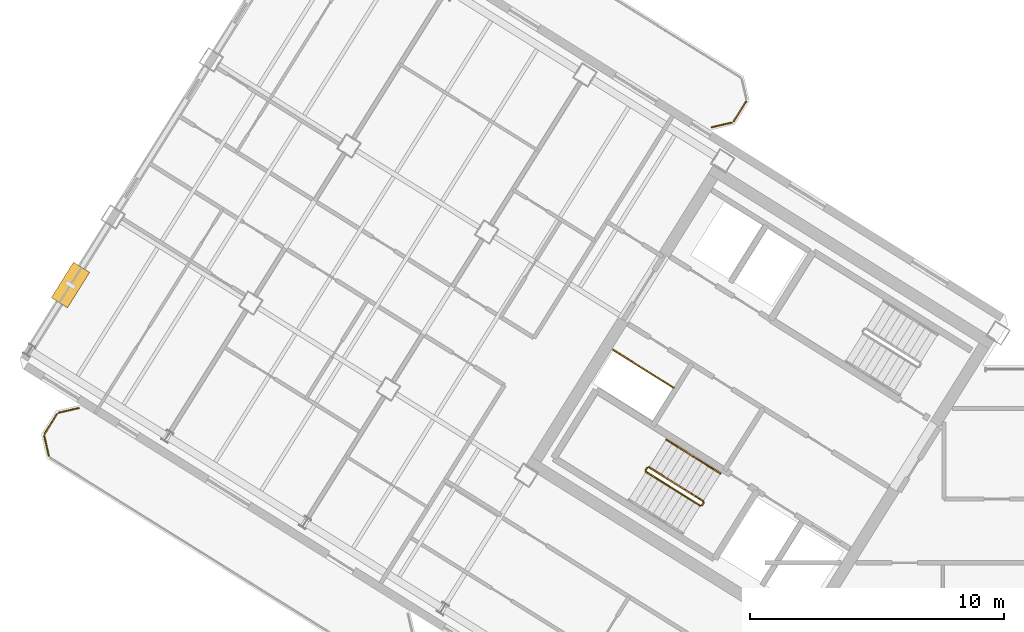
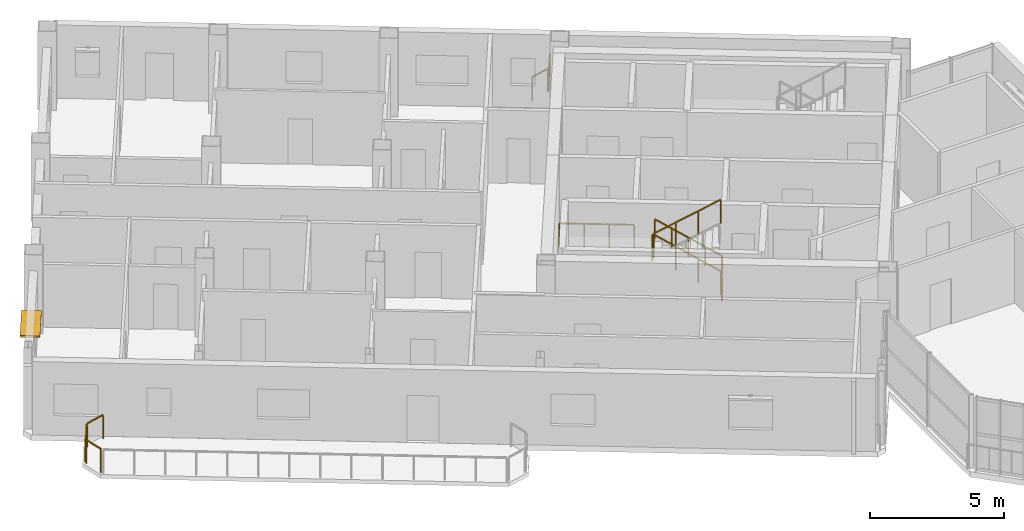
# One storey, part 13 of 15: 12 railings, 1 shading device.
"""IFC4 building model written with IfcOpenShell, lengths in metres."""

from ifc_helpers import new_model, si_unit, direction, frame, origin, origin_2d, place, context, subcontext, project, spatial, rectangle, extrude, source, transform, mapped, material, layer, layer_set, type_object, element, save


model = new_model("IFC4")

# Units and contexts
model_context = context("Model", 3, precision=1e-05, world=origin(), true_north=direction((0.0, 1.0)))
body_context = subcontext(model_context, "Body", "Model", "MODEL_VIEW")
ifc_project = project(units=[si_unit("LENGTHUNIT", "METRE"), si_unit("AREAUNIT", "SQUARE_METRE"), si_unit("VOLUMEUNIT", "CUBIC_METRE"), si_unit("PLANEANGLEUNIT", "RADIAN"), si_unit("MASSUNIT", "GRAM", prefix="KILO")], contexts=[model_context])

# Site, building, storey
site_placement = place(None, origin())
site = spatial("IfcSite", under=ifc_project, at=site_placement, CompositionType="ELEMENT")
building_placement = place(site_placement, origin())
building = spatial("IfcBuilding", under=site, at=building_placement, Name="Tlacorven Tower", CompositionType="ELEMENT")
storey_placement = place(building_placement, frame((0.0, 0.0, 266.39990234375)))
storey = spatial("IfcBuildingStorey", under=building, at=storey_placement, Name="L67", CompositionType="ELEMENT", Elevation=266.39990234375)

# Railings
ifc_material_1 = material(Name="Aluminium and painted steel balustrade", Category="steel")
railing_type_1 = type_object("IfcRailingType", Name="RL-GRD-1100", PredefinedType="GUARDRAIL", material=ifc_material_1)
shared_shape_1 = source(origin(), body_context, "Body", "SweptSolid", [
    extrude(rectangle(XDim=0.048095703125, YDim=0.048095703125, at=origin_2d()), frame((0.0, 0.0, 1.076171875), z_axis=(-0.848091358275, 0.529850024081, 0.0), x_axis=(-0.529850024081, -0.848091358275, 0.0)), (0.0, 0.0, 1.0), 2.800048828125),
    extrude(rectangle(XDim=0.0419921875, YDim=0.0419921875, at=origin_2d()), origin(), (0.0, 0.0, 1.0), 1.052001953125),
    extrude(rectangle(XDim=0.0419921875, YDim=0.0419921875, at=origin_2d()), frame((-0.79150390625, 0.49462890625, 0.0)), (0.0, 0.0, 1.0), 1.052001953125),
    extrude(rectangle(XDim=0.0419921875, YDim=0.0419921875, at=origin_2d()), frame((-1.583251953125, 0.989013671875, 0.0)), (0.0, 0.0, 1.0), 1.052001953125),
    extrude(rectangle(XDim=0.0419921875, YDim=0.0419921875, at=origin_2d()), frame((-2.374755859375, 1.483642578125, 0.0)), (0.0, 0.0, 1.0), 1.052001953125),
])
railing_1_placement = place(storey_placement, frame((27.9912109375, 22.32080078125, 0.0)))
element("IfcRailing", 1, at=railing_1_placement, inside=storey, type_object=railing_type_1, Name="L67 Electrical Riser W Shaft Guard 1", PredefinedType="GUARDRAIL", context=body_context, shape_type="MappedRepresentation", body=[
    mapped(shared_shape_1, transform((0.0, 0.0, 0.0), scale=1.0)),
])
railing_type_2 = type_object("IfcRailingType", Name="RL-BAL-1100", PredefinedType="BALUSTRADE", material=ifc_material_1)
shared_shape_2 = source(origin(), body_context, "Body", "SweptSolid", [
    extrude(rectangle(XDim=0.048095703125, YDim=0.048095703125, at=origin_2d()), frame((0.0, 0.0, 1.076171875), z_axis=(-0.52987865805, -0.848073468364, 0.0), x_axis=(0.848073468364, -0.52987865805, 0.0)), (0.0, 0.0, 1.0), 0.912353515625),
    extrude(rectangle(XDim=0.0419921875, YDim=0.0419921875, at=origin_2d()), origin(), (0.0, 0.0, 1.0), 1.052001953125),
    extrude(rectangle(XDim=0.0419921875, YDim=0.0419921875, at=origin_2d()), frame((-0.4833984375, -0.773681640625, 0.0)), (0.0, 0.0, 1.0), 1.052001953125),
])
railing_2_placement = place(storey_placement, frame((30.845947265625, 33.588623046875, 0.0)))
element("IfcRailing", 2, at=railing_2_placement, inside=storey, type_object=railing_type_2, Name="BAL-L67-W-IN Guard Railing 2", PredefinedType="BALUSTRADE", context=body_context, shape_type="MappedRepresentation", body=[
    mapped(shared_shape_2, transform((0.0, 0.0, 0.0), scale=1.0)),
])
shared_shape_3 = source(origin(), body_context, "Body", "SweptSolid", [
    extrude(rectangle(XDim=0.048095703125, YDim=0.048095703125, at=origin_2d()), frame((0.0, 0.0, 1.076171875), z_axis=(-0.225058334816, 0.974345290916, 0.0), x_axis=(-0.974345290916, -0.225058334816, 0.0)), (0.0, 0.0, 1.0), 0.80712890625),
    extrude(rectangle(XDim=0.0419921875, YDim=0.0419921875, at=origin_2d()), origin(), (0.0, 0.0, 1.0), 1.052001953125),
    extrude(rectangle(XDim=0.0419921875, YDim=0.0419921875, at=origin_2d()), frame((-0.181640625, 0.786376953125, 0.0)), (0.0, 0.0, 1.0), 1.052001953125),
])
railing_3_placement = place(storey_placement, frame((3.380859375, 19.62841796875, 0.0)))
element("IfcRailing", 3, at=railing_3_placement, inside=storey, type_object=railing_type_2, Name="BAL-L67-W-OUT Guard Railing 5", PredefinedType="BALUSTRADE", context=body_context, shape_type="MappedRepresentation", body=[
    mapped(shared_shape_3, transform((0.0, 0.0, 0.0), scale=1.0)),
])
shared_shape_4 = source(origin(), body_context, "Body", "SweptSolid", [
    extrude(rectangle(XDim=0.048095703125, YDim=0.048095703125, at=origin_2d()), frame((0.0, 0.0, 1.076171875), z_axis=(0.52987865805, 0.848073468364, 0.0), x_axis=(-0.848073468364, 0.52987865805, 0.0)), (0.0, 0.0, 1.0), 0.912353515625),
    extrude(rectangle(XDim=0.0419921875, YDim=0.0419921875, at=origin_2d()), origin(), (0.0, 0.0, 1.0), 1.052001953125),
    extrude(rectangle(XDim=0.0419921875, YDim=0.0419921875, at=origin_2d()), frame((0.4833984375, 0.773681640625, 0.0)), (0.0, 0.0, 1.0), 1.052001953125),
])
railing_4_placement = place(storey_placement, frame((3.214599609375, 20.505859375, 0.0)))
element("IfcRailing", 4, at=railing_4_placement, inside=storey, type_object=railing_type_2, Name="BAL-L67-W-OUT Guard Railing 6", PredefinedType="BALUSTRADE", context=body_context, shape_type="MappedRepresentation", body=[
    mapped(shared_shape_4, transform((0.0, 0.0, 0.0), scale=1.0)),
])
shared_shape_5 = source(origin(), body_context, "Body", "SweptSolid", [
    extrude(rectangle(XDim=0.048095703125, YDim=0.048095703125, at=origin_2d()), frame((0.0, 0.0, 1.076171875), z_axis=(0.974345290916, 0.225058334816, 0.0), x_axis=(-0.225058334816, 0.974345290916, 0.0)), (0.0, 0.0, 1.0), 0.80712890625),
    extrude(rectangle(XDim=0.0419921875, YDim=0.0419921875, at=origin_2d()), origin(), (0.0, 0.0, 1.0), 1.052001953125),
    extrude(rectangle(XDim=0.0419921875, YDim=0.0419921875, at=origin_2d()), frame((0.786376953125, 0.181640625, 0.0)), (0.0, 0.0, 1.0), 1.052001953125),
])
railing_5_placement = place(storey_placement, frame((3.773193359375, 21.3330078125, 0.0)))
element("IfcRailing", 5, at=railing_5_placement, inside=storey, type_object=railing_type_2, Name="BAL-L67-W-OUT Guard Railing 7", PredefinedType="BALUSTRADE", context=body_context, shape_type="MappedRepresentation", body=[
    mapped(shared_shape_5, transform((0.0, 0.0, 0.0), scale=1.0)),
])
shared_shape_6 = source(origin(), body_context, "Body", "SweptSolid", [
    extrude(rectangle(XDim=0.048095703125, YDim=0.048095703125, at=origin_2d()), frame((0.0, 0.0, 1.076171875), z_axis=(-0.974345290916, -0.225058334816, 0.0), x_axis=(0.225058334816, -0.974345290916, 0.0)), (0.0, 0.0, 1.0), 0.80712890625),
    extrude(rectangle(XDim=0.0419921875, YDim=0.0419921875, at=origin_2d()), origin(), (0.0, 0.0, 1.0), 1.052001953125),
    extrude(rectangle(XDim=0.0419921875, YDim=0.0419921875, at=origin_2d()), frame((-0.786376953125, -0.181640625, 0.0)), (0.0, 0.0, 1.0), 1.052001953125),
])
railing_6_placement = place(storey_placement, frame((30.287353515625, 32.761474609375, 0.0)))
element("IfcRailing", 6, at=railing_6_placement, inside=storey, type_object=railing_type_2, Name="BAL-L67-W-IN Guard Railing 3", PredefinedType="BALUSTRADE", context=body_context, shape_type="MappedRepresentation", body=[
    mapped(shared_shape_6, transform((0.0, 0.0, 0.0), scale=1.0)),
])

# Shading device
ifc_material_2 = material(Name="Anodised bronze aluminium sunshade", Category="aluminium")
ifc_layer = layer(ifc_material_2, 0.080078125)
ifc_layer_set = layer_set([ifc_layer], Name="Anodised bronze aluminium sunshade")
shading_device_type = type_object("IfcShadingDeviceType", Name="SH-SUN-BRZ", PredefinedType="AWNING", material=ifc_layer_set)
shared_shape_7 = source(origin(), body_context, "Body", "SweptSolid", [
    extrude(rectangle(XDim=1.64990234375, YDim=0.75, at=origin_2d()), origin(), (0.0, 0.0, 1.0), 0.080078125),
])
shading_device_placement = place(storey_placement, frame((4.232666015625, 26.3623046875, 2.3701171875), z_axis=(0.0, 0.0, 1.0), x_axis=(0.529918940959, 0.84804829816, 0.0)))
element("IfcShadingDevice", 7, at=shading_device_placement, inside=storey, type_object=shading_device_type, Name="L67 Solar Brise-Soleil Sunshade L67-03.1", PredefinedType="AWNING", context=body_context, shape_type="MappedRepresentation", body=[
    mapped(shared_shape_7, transform((0.0, 0.0, 0.0), scale=1.0)),
])

# Railings
shared_shape_8 = source(origin(), body_context, "Body", "SweptSolid", [
    extrude(rectangle(XDim=0.048095703125, YDim=0.048095703125, at=origin_2d()), frame((0.0, 0.0, 1.076171875), z_axis=(-0.529084052582, -0.848569422795, 0.0), x_axis=(0.848569422795, -0.529084052582, 0.0)), (0.0, 0.0, 1.0), 0.119873046875),
    extrude(rectangle(XDim=0.0419921875, YDim=0.0419921875, at=origin_2d()), origin(), (0.0, 0.0, 1.0), 1.052001953125),
    extrude(rectangle(XDim=0.0419921875, YDim=0.0419921875, at=origin_2d()), frame((-0.0634765625, -0.101806640625, 0.0)), (0.0, 0.0, 1.0), 1.052001953125),
])
railing_7_placement = place(storey_placement, frame((29.176513671875, 17.782958984375, 0.0)))
element("IfcRailing", 8, at=railing_7_placement, inside=storey, type_object=railing_type_1, Name="L67 ST-W1 stair guard 4", PredefinedType="GUARDRAIL", context=body_context, shape_type="MappedRepresentation", body=[
    mapped(shared_shape_8, transform((0.0, 0.0, 0.0), scale=1.0)),
])
shared_shape_9 = source(origin(), body_context, "Body", "SweptSolid", [
    extrude(rectangle(XDim=0.048095703125, YDim=0.048095703125, at=origin_2d()), frame((0.0, 0.0, 1.076171875), z_axis=(-0.530546985787, -0.847655529016, 0.0), x_axis=(0.847655529016, -0.530546985787, 0.0)), (0.0, 0.0, 1.0), 0.1201171875),
    extrude(rectangle(XDim=0.0419921875, YDim=0.0419921875, at=origin_2d()), origin(), (0.0, 0.0, 1.0), 1.052001953125),
    extrude(rectangle(XDim=0.0419921875, YDim=0.0419921875, at=origin_2d()), frame((-0.063720703125, -0.101806640625, 0.0)), (0.0, 0.0, 1.0), 1.052001953125),
])
railing_8_placement = place(storey_placement, frame((26.954833984375, 19.17138671875, 1.800048828125)))
element("IfcRailing", 9, at=railing_8_placement, inside=storey, type_object=railing_type_1, Name="L67 ST-W1 stair guard 2", PredefinedType="GUARDRAIL", context=body_context, shape_type="MappedRepresentation", body=[
    mapped(shared_shape_9, transform((0.0, 0.0, 0.0), scale=1.0)),
])
shared_shape_10 = source(origin(), body_context, "Body", "SweptSolid", [
    extrude(rectangle(XDim=0.048095703125, YDim=0.048095703125, at=origin_2d()), frame((0.0, 0.0, 1.076171875), z_axis=(0.713359751793, -0.4457479829, 0.540764828981), x_axis=(0.529911857636, 0.848052724267, 0.0)), (0.0, 0.0, 1.0), 2.99609375),
    extrude(rectangle(XDim=0.0419921875, YDim=0.0419921875, at=origin_2d()), origin(), (0.0, 0.0, 1.0), 1.052001953125),
    extrude(rectangle(XDim=0.0419921875, YDim=0.0419921875, at=origin_2d()), frame((0.71240234375, -0.445068359375, 0.5400390625)), (0.0, 0.0, 1.0), 1.052001953125),
    extrude(rectangle(XDim=0.0419921875, YDim=0.0419921875, at=origin_2d()), frame((1.4248046875, -0.890380859375, 1.080078125)), (0.0, 0.0, 1.0), 1.052001953125),
    extrude(rectangle(XDim=0.0419921875, YDim=0.0419921875, at=origin_2d()), frame((2.13720703125, -1.33544921875, 1.6201171875)), (0.0, 0.0, 1.0), 1.052001953125),
])
railing_9_placement = place(storey_placement, frame((26.906982421875, 19.000732421875, 1.97998046875)))
element("IfcRailing", 10, at=railing_9_placement, inside=storey, type_object=railing_type_1, Name="L67 ST-W1 stair guard 3", PredefinedType="GUARDRAIL", context=body_context, shape_type="MappedRepresentation", body=[
    mapped(shared_shape_10, transform((0.0, 0.0, 0.0), scale=1.0)),
])
railing_type_3 = type_object("IfcRailingType", Name="RL-HND-0900", PredefinedType="HANDRAIL", material=ifc_material_1)
shared_shape_11 = source(origin(), body_context, "Body", "SweptSolid", [
    extrude(rectangle(XDim=0.048095703125, YDim=0.048095703125, at=origin_2d()), frame((0.0, 0.0, 0.8759765625), z_axis=(-0.713359751793, 0.4457479829, 0.540764828981), x_axis=(-0.529911857636, -0.848052724267, 0.0)), (0.0, 0.0, 1.0), 1.498046875),
    extrude(rectangle(XDim=0.0419921875, YDim=0.0419921875, at=origin_2d()), origin(), (0.0, 0.0, 1.0), 0.851806640625),
    extrude(rectangle(XDim=0.0419921875, YDim=0.0419921875, at=origin_2d()), frame((-0.5341796875, 0.333984375, 0.405029296875)), (0.0, 0.0, 1.0), 0.851806640625),
    extrude(rectangle(XDim=0.0419921875, YDim=0.0419921875, at=origin_2d()), frame((-1.068603515625, 0.667724609375, 0.81005859375)), (0.0, 0.0, 1.0), 0.851806640625),
])
railing_10_placement = place(storey_placement, frame((28.7705078125, 19.60498046875, 0.989990234375)))
element("IfcRailing", 11, at=railing_10_placement, inside=storey, type_object=railing_type_3, Name="L67 ST-W1 stair handrail 2", PredefinedType="HANDRAIL", context=body_context, shape_type="MappedRepresentation", body=[
    mapped(shared_shape_11, transform((0.0, 0.0, 0.0), scale=1.0)),
])
shared_shape_12 = source(origin(), body_context, "Body", "SweptSolid", [
    extrude(rectangle(XDim=0.048095703125, YDim=0.048095703125, at=origin_2d()), frame((0.0, 0.0, 1.076171875), z_axis=(-0.713351164325, 0.445793541512, 0.540738601085), x_axis=(-0.529955395941, -0.84802551749, 0.0)), (0.0, 0.0, 1.0), 2.99560546875),
    extrude(rectangle(XDim=0.0419921875, YDim=0.0419921875, at=origin_2d()), origin(), (0.0, 0.0, 1.0), 1.052001953125),
    extrude(rectangle(XDim=0.0419921875, YDim=0.0419921875, at=origin_2d()), frame((-0.71240234375, 0.445068359375, 0.5400390625)), (0.0, 0.0, 1.0), 1.052001953125),
    extrude(rectangle(XDim=0.0419921875, YDim=0.0419921875, at=origin_2d()), frame((-1.424560546875, 0.890380859375, 1.079833984375)), (0.0, 0.0, 1.0), 1.052001953125),
    extrude(rectangle(XDim=0.0419921875, YDim=0.0419921875, at=origin_2d()), frame((-2.136962890625, 1.33544921875, 1.619873046875)), (0.0, 0.0, 1.0), 1.052001953125),
])
railing_11_placement = place(storey_placement, frame((29.16064453125, 17.851806640625, 0.18017578125)))
element("IfcRailing", 12, at=railing_11_placement, inside=storey, type_object=railing_type_1, Name="L67 ST-W1 stair guard 1", PredefinedType="GUARDRAIL", context=body_context, shape_type="MappedRepresentation", body=[
    mapped(shared_shape_12, transform((0.0, 0.0, 0.0), scale=1.0)),
])
shared_shape_13 = source(origin(), body_context, "Body", "SweptSolid", [
    extrude(rectangle(XDim=0.048095703125, YDim=0.048095703125, at=origin_2d()), frame((0.0, 0.0, 0.8759765625), z_axis=(-0.713422621445, 0.445787267455, 0.540649494022), x_axis=(-0.529911857636, -0.848052724267, 0.0)), (0.0, 0.0, 1.0), 1.497802734375),
    extrude(rectangle(XDim=0.0419921875, YDim=0.0419921875, at=origin_2d()), origin(), (0.0, 0.0, 1.0), 0.851806640625),
    extrude(rectangle(XDim=0.0419921875, YDim=0.0419921875, at=origin_2d()), frame((-0.5341796875, 0.333984375, 0.40478515625)), (0.0, 0.0, 1.0), 0.851806640625),
    extrude(rectangle(XDim=0.0419921875, YDim=0.0419921875, at=origin_2d()), frame((-1.068603515625, 0.667724609375, 0.809814453125)), (0.0, 0.0, 1.0), 0.851806640625),
])
railing_12_placement = place(storey_placement, frame((29.839111328125, 18.937255859375, 0.18017578125)))
element("IfcRailing", 13, at=railing_12_placement, inside=storey, type_object=railing_type_3, Name="L67 ST-W1 stair handrail 1", PredefinedType="HANDRAIL", context=body_context, shape_type="MappedRepresentation", body=[
    mapped(shared_shape_13, transform((0.0, 0.0, 0.0), scale=1.0)),
])

save(model, "model.ifc")
